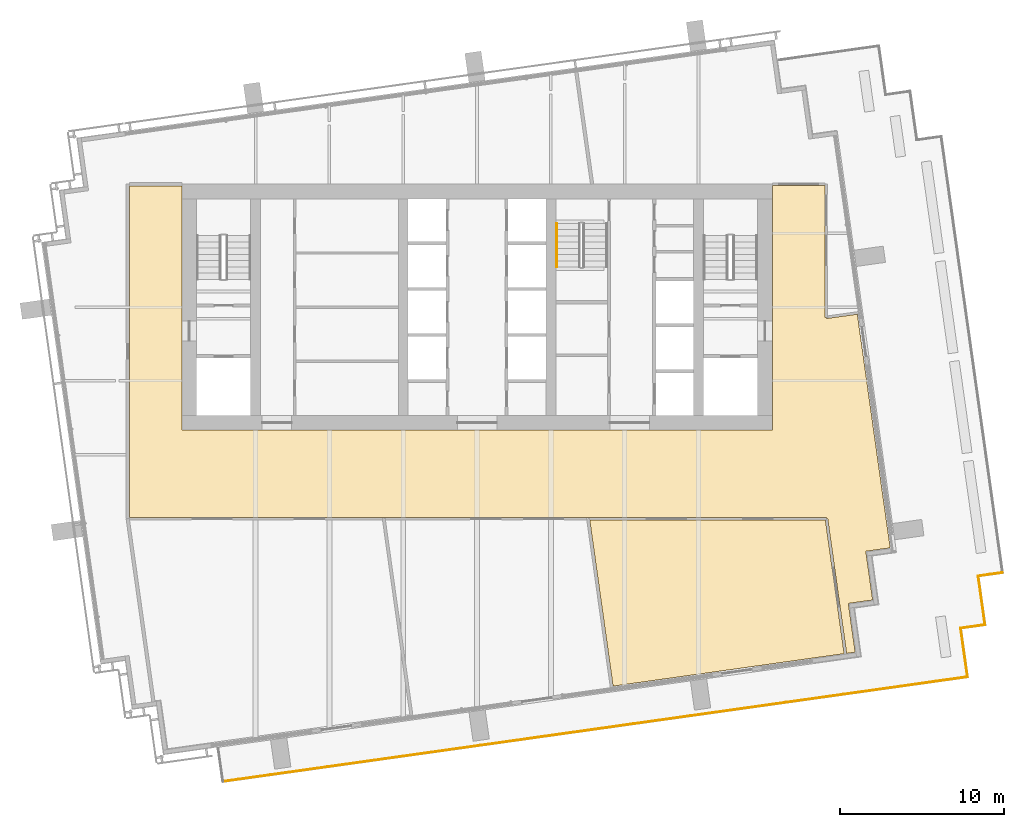
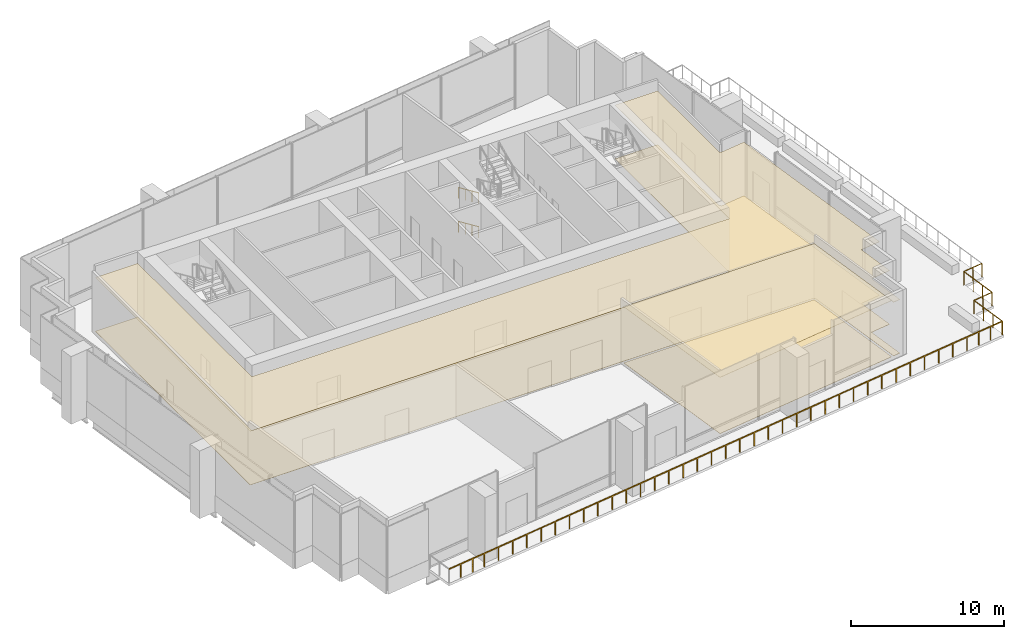
# One storey, part 11 of 14: 7 railings, 4 coverings.
"""IFC4 building model written with IfcOpenShell, lengths in metres."""

from ifc_helpers import new_model, si_unit, direction, frame, origin, origin_2d, place, context, subcontext, project, spatial, polyline, rectangle, outline, extrude, material, layer, layer_set, type_object, element, save


model = new_model("IFC4")

# Units and contexts
model_context = context("Model", 3, precision=1e-05, world=origin(), true_north=direction((0.0, 1.0)))
body_context = subcontext(model_context, "Body", "Model", "MODEL_VIEW")
ifc_project = project(units=[si_unit("LENGTHUNIT", "METRE"), si_unit("AREAUNIT", "SQUARE_METRE"), si_unit("VOLUMEUNIT", "CUBIC_METRE"), si_unit("PLANEANGLEUNIT", "RADIAN"), si_unit("MASSUNIT", "GRAM", prefix="KILO")], contexts=[model_context])

# Site, building, storey
site_placement = place(None, origin())
site = spatial("IfcSite", under=ifc_project, at=site_placement, CompositionType="ELEMENT")
building_placement = place(site_placement, origin())
building = spatial("IfcBuilding", under=site, at=building_placement, Name="Rattan Terrace Tower", CompositionType="ELEMENT")
storey_placement = place(building_placement, frame((0.0, 0.0, 249.699951171875)))
storey = spatial("IfcBuildingStorey", under=building, at=storey_placement, Name="L57", CompositionType="ELEMENT", Elevation=249.699951171875)

# Railings
ifc_material_1 = material(Name="Powder-coated steel handrail", Category="steel")
railing_type_1 = type_object("IfcRailingType", Name="Core stair handrail", PredefinedType="HANDRAIL", material=ifc_material_1)
railing_1_placement = place(storey_placement, frame((4.85009765625, 5.10009765625, 0.168701171875)))
element("IfcRailing", 1, at=railing_1_placement, inside=storey, type_object=railing_type_1, Name="L57 S3 stair handrail 1", PredefinedType="HANDRAIL", context=body_context, shape_type="SweptSolid", body=[
    extrude(rectangle(XDim=0.048095703125, YDim=0.048095703125, at=origin_2d()), frame((0.0, 0.0, 0.8759765625), z_axis=(0.0, -0.913925654661, 0.405881630223), x_axis=(1.0, 0.0, 0.0)), (0.0, 0.0, 1.0), 2.91064453125),
    extrude(rectangle(XDim=0.0419921875, YDim=0.0419921875, at=origin_2d()), origin(), (0.0, 0.0, 1.0), 0.851806640625),
    extrude(rectangle(XDim=0.0419921875, YDim=0.0419921875, at=origin_2d()), frame((0.0, -0.88671875, 0.393798828125)), (0.0, 0.0, 1.0), 0.851806640625),
    extrude(rectangle(XDim=0.0419921875, YDim=0.0419921875, at=origin_2d()), frame((0.0, -1.7734375, 0.78759765625)), (0.0, 0.0, 1.0), 0.851806640625),
    extrude(rectangle(XDim=0.0419921875, YDim=0.0419921875, at=origin_2d()), frame((0.0, -2.66015625, 1.181396484375)), (0.0, 0.0, 1.0), 0.851806640625),
])
railing_2_placement = place(storey_placement, frame((4.85009765625, 5.10009765625, 2.868896484375)))
element("IfcRailing", 2, at=railing_2_placement, inside=storey, type_object=railing_type_1, Name="L57 S3 stair handrail 3", PredefinedType="HANDRAIL", context=body_context, shape_type="SweptSolid", body=[
    extrude(rectangle(XDim=0.048095703125, YDim=0.048095703125, at=origin_2d()), frame((0.0, 0.0, 0.8759765625), z_axis=(0.0, -0.913956766905, 0.405811567391), x_axis=(1.0, 0.0, 0.0)), (0.0, 0.0, 1.0), 2.91064453125),
    extrude(rectangle(XDim=0.0419921875, YDim=0.0419921875, at=origin_2d()), origin(), (0.0, 0.0, 1.0), 0.851806640625),
    extrude(rectangle(XDim=0.0419921875, YDim=0.0419921875, at=origin_2d()), frame((0.0, -0.88671875, 0.393798828125)), (0.0, 0.0, 1.0), 0.851806640625),
    extrude(rectangle(XDim=0.0419921875, YDim=0.0419921875, at=origin_2d()), frame((0.0, -1.7734375, 0.787353515625)), (0.0, 0.0, 1.0), 0.851806640625),
    extrude(rectangle(XDim=0.0419921875, YDim=0.0419921875, at=origin_2d()), frame((0.0, -2.66015625, 1.18115234375)), (0.0, 0.0, 1.0), 0.851806640625),
])
ifc_material_2 = material(Name="Stainless steel 316", Category="steel")
railing_type_2 = type_object("IfcRailingType", Name="Facade Guard 1100", PredefinedType="GUARDRAIL", material=ifc_material_2)
railing_3_placement = place(storey_placement, frame((32.035888671875, -16.181884765625, 0.0)))
element("IfcRailing", 3, at=railing_3_placement, inside=storey, type_object=railing_type_2, Name="Terrace guard L57-1-7", PredefinedType="GUARDRAIL", context=body_context, shape_type="SweptSolid", body=[
    extrude(rectangle(XDim=0.048095703125, YDim=0.048095703125, at=origin_2d()), frame((0.0, 0.0, 1.076171875), z_axis=(-0.990230619015, -0.139439309973, 0.0), x_axis=(0.139439309973, -0.990230619015, 0.0)), (0.0, 0.0, 1.0), 1.50048828125),
    extrude(rectangle(XDim=0.0419921875, YDim=0.0419921875, at=origin_2d()), origin(), (0.0, 0.0, 1.0), 1.052001953125),
    extrude(rectangle(XDim=0.0419921875, YDim=0.0419921875, at=origin_2d()), frame((-0.742919921875, -0.1044921875, 0.0)), (0.0, 0.0, 1.0), 1.052001953125),
])
railing_4_placement = place(storey_placement, frame((30.550048828125, -16.39111328125, 0.0)))
element("IfcRailing", 4, at=railing_4_placement, inside=storey, type_object=railing_type_2, Name="Terrace guard L57-1-8", PredefinedType="GUARDRAIL", context=body_context, shape_type="SweptSolid", body=[
    extrude(rectangle(XDim=0.048095703125, YDim=0.048095703125, at=origin_2d()), frame((0.0, 0.0, 1.076171875), z_axis=(0.139313431826, -0.990248336385, 0.0), x_axis=(0.990248336385, 0.139313431826, 0.0)), (0.0, 0.0, 1.0), 3.000244140625),
    extrude(rectangle(XDim=0.0419921875, YDim=0.0419921875, at=origin_2d()), origin(), (0.0, 0.0, 1.0), 1.052001953125),
    extrude(rectangle(XDim=0.0419921875, YDim=0.0419921875, at=origin_2d()), frame((0.139404296875, -0.990234375, 0.0)), (0.0, 0.0, 1.0), 1.052001953125),
    extrude(rectangle(XDim=0.0419921875, YDim=0.0419921875, at=origin_2d()), frame((0.278564453125, -1.980712890625, 0.0)), (0.0, 0.0, 1.0), 1.052001953125),
])
railing_5_placement = place(storey_placement, frame((30.968017578125, -19.362060546875, 0.0)))
element("IfcRailing", 5, at=railing_5_placement, inside=storey, type_object=railing_type_2, Name="Terrace guard L57-1-9", PredefinedType="GUARDRAIL", context=body_context, shape_type="SweptSolid", body=[
    extrude(rectangle(XDim=0.048095703125, YDim=0.048095703125, at=origin_2d()), frame((0.0, 0.0, 1.076171875), z_axis=(-0.990333250168, -0.138708520326, 0.0), x_axis=(0.138708520326, -0.990333250168, 0.0)), (0.0, 0.0, 1.0), 1.49951171875),
    extrude(rectangle(XDim=0.0419921875, YDim=0.0419921875, at=origin_2d()), origin(), (0.0, 0.0, 1.0), 1.052001953125),
    extrude(rectangle(XDim=0.0419921875, YDim=0.0419921875, at=origin_2d()), frame((-0.74267578125, -0.10400390625, 0.0)), (0.0, 0.0, 1.0), 1.052001953125),
])
railing_6_placement = place(storey_placement, frame((29.48291015625, -19.570068359375, 0.0)))
element("IfcRailing", 6, at=railing_6_placement, inside=storey, type_object=railing_type_2, Name="Terrace guard L57-1-10", PredefinedType="GUARDRAIL", context=body_context, shape_type="SweptSolid", body=[
    extrude(rectangle(XDim=0.048095703125, YDim=0.048095703125, at=origin_2d()), frame((0.0, 0.0, 1.076171875), z_axis=(0.138994228812, -0.990293191109, 0.0), x_axis=(0.990293191109, 0.138994228812, 0.0)), (0.0, 0.0, 1.0), 3.0),
    extrude(rectangle(XDim=0.0419921875, YDim=0.0419921875, at=origin_2d()), origin(), (0.0, 0.0, 1.0), 1.052001953125),
    extrude(rectangle(XDim=0.0419921875, YDim=0.0419921875, at=origin_2d()), frame((0.138916015625, -0.990234375, 0.0)), (0.0, 0.0, 1.0), 1.052001953125),
    extrude(rectangle(XDim=0.0419921875, YDim=0.0419921875, at=origin_2d()), frame((0.278076171875, -1.980712890625, 0.0)), (0.0, 0.0, 1.0), 1.052001953125),
])
railing_7_placement = place(storey_placement, frame((29.89990234375, -22.541015625, 0.0)))
element("IfcRailing", 7, at=railing_7_placement, inside=storey, type_object=railing_type_2, Name="Terrace guard L57-1-11", PredefinedType="GUARDRAIL", context=body_context, shape_type="SweptSolid", body=[
    extrude(rectangle(XDim=0.048095703125, YDim=0.048095703125, at=origin_2d()), frame((0.0, 0.0, 1.076171875), z_axis=(-0.990241622406, -0.13936114686, 0.0), x_axis=(0.13936114686, -0.990241622406, 0.0)), (0.0, 0.0, 1.0), 2.92041015625),
    extrude(rectangle(XDim=0.048095703125, YDim=0.048095703125, at=origin_2d()), frame((-2.891845703125, -0.406982421875, 1.076171875), z_axis=(-0.990267872444, -0.139174497682, 0.0), x_axis=(0.139174497682, -0.990267872444, 0.0)), (0.0, 0.0, 1.0), 39.999267578125),
    extrude(rectangle(XDim=0.048095703125, YDim=0.048095703125, at=origin_2d()), frame((-42.501953125, -5.973876953125, 1.076171875), z_axis=(-0.990287717845, -0.139033218639, 0.0), x_axis=(0.139033218639, -0.990287717845, 0.0)), (0.0, 0.0, 1.0), 2.920166015625),
    extrude(rectangle(XDim=0.0419921875, YDim=0.0419921875, at=origin_2d()), origin(), (0.0, 0.0, 1.0), 1.052001953125),
    extrude(rectangle(XDim=0.0419921875, YDim=0.0419921875, at=origin_2d()), frame((-0.9638671875, -0.1357421875, 0.0)), (0.0, 0.0, 1.0), 1.052001953125),
    extrude(rectangle(XDim=0.0419921875, YDim=0.0419921875, at=origin_2d()), frame((-1.927978515625, -0.271240234375, 0.0)), (0.0, 0.0, 1.0), 1.052001953125),
    extrude(rectangle(XDim=0.0419921875, YDim=0.0419921875, at=origin_2d()), frame((-2.891845703125, -0.406982421875, 0.0)), (0.0, 0.0, 1.0), 1.052001953125),
    extrude(rectangle(XDim=0.0419921875, YDim=0.0419921875, at=origin_2d()), frame((-4.056884765625, -0.57080078125, 0.0)), (0.0, 0.0, 1.0), 1.052001953125),
    extrude(rectangle(XDim=0.0419921875, YDim=0.0419921875, at=origin_2d()), frame((-5.221923828125, -0.734375, 0.0)), (0.0, 0.0, 1.0), 1.052001953125),
    extrude(rectangle(XDim=0.0419921875, YDim=0.0419921875, at=origin_2d()), frame((-6.386962890625, -0.898193359375, 0.0)), (0.0, 0.0, 1.0), 1.052001953125),
    extrude(rectangle(XDim=0.0419921875, YDim=0.0419921875, at=origin_2d()), frame((-7.5517578125, -1.06201171875, 0.0)), (0.0, 0.0, 1.0), 1.052001953125),
    extrude(rectangle(XDim=0.0419921875, YDim=0.0419921875, at=origin_2d()), frame((-8.716796875, -1.2255859375, 0.0)), (0.0, 0.0, 1.0), 1.052001953125),
    extrude(rectangle(XDim=0.0419921875, YDim=0.0419921875, at=origin_2d()), frame((-9.8818359375, -1.389404296875, 0.0)), (0.0, 0.0, 1.0), 1.052001953125),
    extrude(rectangle(XDim=0.0419921875, YDim=0.0419921875, at=origin_2d()), frame((-11.046875, -1.55322265625, 0.0)), (0.0, 0.0, 1.0), 1.052001953125),
    extrude(rectangle(XDim=0.0419921875, YDim=0.0419921875, at=origin_2d()), frame((-12.2119140625, -1.716796875, 0.0)), (0.0, 0.0, 1.0), 1.052001953125),
    extrude(rectangle(XDim=0.0419921875, YDim=0.0419921875, at=origin_2d()), frame((-13.376953125, -1.880615234375, 0.0)), (0.0, 0.0, 1.0), 1.052001953125),
    extrude(rectangle(XDim=0.0419921875, YDim=0.0419921875, at=origin_2d()), frame((-14.5419921875, -2.044189453125, 0.0)), (0.0, 0.0, 1.0), 1.052001953125),
    extrude(rectangle(XDim=0.0419921875, YDim=0.0419921875, at=origin_2d()), frame((-15.706787109375, -2.2080078125, 0.0)), (0.0, 0.0, 1.0), 1.052001953125),
    extrude(rectangle(XDim=0.0419921875, YDim=0.0419921875, at=origin_2d()), frame((-16.871826171875, -2.371826171875, 0.0)), (0.0, 0.0, 1.0), 1.052001953125),
    extrude(rectangle(XDim=0.0419921875, YDim=0.0419921875, at=origin_2d()), frame((-18.036865234375, -2.535400390625, 0.0)), (0.0, 0.0, 1.0), 1.052001953125),
    extrude(rectangle(XDim=0.0419921875, YDim=0.0419921875, at=origin_2d()), frame((-19.201904296875, -2.69921875, 0.0)), (0.0, 0.0, 1.0), 1.052001953125),
    extrude(rectangle(XDim=0.0419921875, YDim=0.0419921875, at=origin_2d()), frame((-20.366943359375, -2.863037109375, 0.0)), (0.0, 0.0, 1.0), 1.052001953125),
    extrude(rectangle(XDim=0.0419921875, YDim=0.0419921875, at=origin_2d()), frame((-21.531982421875, -3.026611328125, 0.0)), (0.0, 0.0, 1.0), 1.052001953125),
    extrude(rectangle(XDim=0.0419921875, YDim=0.0419921875, at=origin_2d()), frame((-22.69677734375, -3.1904296875, 0.0)), (0.0, 0.0, 1.0), 1.052001953125),
    extrude(rectangle(XDim=0.0419921875, YDim=0.0419921875, at=origin_2d()), frame((-23.86181640625, -3.354248046875, 0.0)), (0.0, 0.0, 1.0), 1.052001953125),
    extrude(rectangle(XDim=0.0419921875, YDim=0.0419921875, at=origin_2d()), frame((-25.02685546875, -3.517822265625, 0.0)), (0.0, 0.0, 1.0), 1.052001953125),
    extrude(rectangle(XDim=0.0419921875, YDim=0.0419921875, at=origin_2d()), frame((-26.19189453125, -3.681640625, 0.0)), (0.0, 0.0, 1.0), 1.052001953125),
    extrude(rectangle(XDim=0.0419921875, YDim=0.0419921875, at=origin_2d()), frame((-27.35693359375, -3.845458984375, 0.0)), (0.0, 0.0, 1.0), 1.052001953125),
    extrude(rectangle(XDim=0.0419921875, YDim=0.0419921875, at=origin_2d()), frame((-28.52197265625, -4.009033203125, 0.0)), (0.0, 0.0, 1.0), 1.052001953125),
    extrude(rectangle(XDim=0.0419921875, YDim=0.0419921875, at=origin_2d()), frame((-29.68701171875, -4.1728515625, 0.0)), (0.0, 0.0, 1.0), 1.052001953125),
    extrude(rectangle(XDim=0.0419921875, YDim=0.0419921875, at=origin_2d()), frame((-30.851806640625, -4.336669921875, 0.0)), (0.0, 0.0, 1.0), 1.052001953125),
    extrude(rectangle(XDim=0.0419921875, YDim=0.0419921875, at=origin_2d()), frame((-32.016845703125, -4.500244140625, 0.0)), (0.0, 0.0, 1.0), 1.052001953125),
    extrude(rectangle(XDim=0.0419921875, YDim=0.0419921875, at=origin_2d()), frame((-33.181884765625, -4.6640625, 0.0)), (0.0, 0.0, 1.0), 1.052001953125),
    extrude(rectangle(XDim=0.0419921875, YDim=0.0419921875, at=origin_2d()), frame((-34.346923828125, -4.82763671875, 0.0)), (0.0, 0.0, 1.0), 1.052001953125),
    extrude(rectangle(XDim=0.0419921875, YDim=0.0419921875, at=origin_2d()), frame((-35.511962890625, -4.991455078125, 0.0)), (0.0, 0.0, 1.0), 1.052001953125),
    extrude(rectangle(XDim=0.0419921875, YDim=0.0419921875, at=origin_2d()), frame((-36.677001953125, -5.1552734375, 0.0)), (0.0, 0.0, 1.0), 1.052001953125),
    extrude(rectangle(XDim=0.0419921875, YDim=0.0419921875, at=origin_2d()), frame((-37.842041015625, -5.31884765625, 0.0)), (0.0, 0.0, 1.0), 1.052001953125),
    extrude(rectangle(XDim=0.0419921875, YDim=0.0419921875, at=origin_2d()), frame((-39.0068359375, -5.482666015625, 0.0)), (0.0, 0.0, 1.0), 1.052001953125),
    extrude(rectangle(XDim=0.0419921875, YDim=0.0419921875, at=origin_2d()), frame((-40.171875, -5.646484375, 0.0)), (0.0, 0.0, 1.0), 1.052001953125),
    extrude(rectangle(XDim=0.0419921875, YDim=0.0419921875, at=origin_2d()), frame((-41.3369140625, -5.81005859375, 0.0)), (0.0, 0.0, 1.0), 1.052001953125),
    extrude(rectangle(XDim=0.0419921875, YDim=0.0419921875, at=origin_2d()), frame((-42.501953125, -5.973876953125, 0.0)), (0.0, 0.0, 1.0), 1.052001953125),
    extrude(rectangle(XDim=0.0419921875, YDim=0.0419921875, at=origin_2d()), frame((-43.4658203125, -6.109130859375, 0.0)), (0.0, 0.0, 1.0), 1.052001953125),
    extrude(rectangle(XDim=0.0419921875, YDim=0.0419921875, at=origin_2d()), frame((-44.429931640625, -6.24462890625, 0.0)), (0.0, 0.0, 1.0), 1.052001953125),
])

# Coverings
ifc_material_3 = material(Name="Polished limestone", Category="masonry")
ifc_layer_1 = layer(ifc_material_3, 0.02001953125)
ifc_layer_set_1 = layer_set([ifc_layer_1], Name="Lobby Floor Finish Stone 20")
covering_type_1 = type_object("IfcCoveringType", Name="Lobby Floor Finish Stone 20", PredefinedType="FLOORING", material=ifc_layer_set_1)
covering_1_placement = place(storey_placement, origin())
element("IfcCovering", 8, at=covering_1_placement, inside=storey, type_object=covering_type_1, Name="Floor finish L57-101", PredefinedType="FLOORING", context=body_context, shape_type="SweptSolid", body=[
    extrude(outline(polyline([(21.22509765625, 7.425048828125), (18.0, 7.425048828125), (18.0, -7.5), (-18.0, -7.5), (-18.0, 7.39990234375), (-21.199951171875, 7.39990234375), (-21.199951171875, -12.824951171875), (21.301025390625, -12.824951171875), (21.301025390625, -12.89990234375), (21.375, -12.888916015625), (21.3759765625, -12.888916015625), (21.3759765625, -12.889892578125), (22.530029296875, -21.10693359375), (23.051025390625, -21.033935546875), (22.634033203125, -18.06298828125), (24.118896484375, -17.85400390625), (23.700927734375, -14.884033203125), (25.18701171875, -14.675048828125), (23.675048828125, -3.919921875), (23.18408203125, -0.429931640625), (21.31005859375, -0.693115234375), (21.31005859375, -0.69189453125), (21.300048828125, -0.617919921875), (21.22509765625, -0.617919921875), (21.22509765625, 7.425048828125)])), origin(), (0.0, 0.0, 1.0), 0.02001953125),
])
covering_2_placement = place(storey_placement, origin())
element("IfcCovering", 9, at=covering_2_placement, inside=storey, type_object=covering_type_1, Name="Floor finish L57-102", PredefinedType="FLOORING", context=body_context, shape_type="SweptSolid", body=[
    extrude(outline(polyline([(20.4169921875, -21.403076171875), (22.3798828125, -21.1279296875), (22.3798828125, -21.126953125), (21.236083984375, -12.97509765625), (6.868896484375, -12.97509765625), (8.2919921875, -23.10693359375), (14.051025390625, -22.298095703125), (17.615966796875, -21.797119140625), (20.4169921875, -21.403076171875)])), origin(), (0.0, 0.0, 1.0), 0.02001953125),
])
ifc_material_4 = material(Name="Gypsum board, painted")
ifc_layer_2 = layer(ifc_material_4, 0.02490234375)
ifc_layer_set_2 = layer_set([ifc_layer_2], Name="Suspended Ceiling Gypsum 25")
covering_type_2 = type_object("IfcCoveringType", Name="Suspended Ceiling Gypsum 25", PredefinedType="CEILING", material=ifc_layer_set_2)
covering_3_placement = place(storey_placement, frame((0.0, 0.0, 4.275146484375)))
element("IfcCovering", 10, at=covering_3_placement, inside=storey, type_object=covering_type_2, Name="Ceiling L57-101", PredefinedType="CEILING", context=body_context, shape_type="SweptSolid", body=[
    extrude(outline(polyline([(21.22509765625, 7.425048828125), (18.0, 7.425048828125), (18.0, -7.5), (-18.0, -7.5), (-18.0, 7.39990234375), (-21.199951171875, 7.39990234375), (-21.199951171875, -12.824951171875), (21.301025390625, -12.824951171875), (21.301025390625, -12.89990234375), (21.375, -12.888916015625), (21.3759765625, -12.888916015625), (21.3759765625, -12.889892578125), (22.530029296875, -21.10693359375), (23.051025390625, -21.033935546875), (22.634033203125, -18.06298828125), (24.118896484375, -17.85400390625), (23.700927734375, -14.884033203125), (25.18701171875, -14.675048828125), (23.675048828125, -3.919921875), (23.18408203125, -0.429931640625), (21.31005859375, -0.693115234375), (21.31005859375, -0.69189453125), (21.300048828125, -0.617919921875), (21.22509765625, -0.617919921875), (21.22509765625, 7.425048828125)])), origin(), (0.0, 0.0, 1.0), 0.02490234375),
])
covering_4_placement = place(storey_placement, frame((0.0, 0.0, 4.47509765625)))
element("IfcCovering", 11, at=covering_4_placement, inside=storey, type_object=covering_type_2, Name="Ceiling L57-102", PredefinedType="CEILING", context=body_context, shape_type="SweptSolid", body=[
    extrude(outline(polyline([(20.4169921875, -21.403076171875), (22.3798828125, -21.1279296875), (22.3798828125, -21.126953125), (21.236083984375, -12.97509765625), (6.868896484375, -12.97509765625), (8.2919921875, -23.10693359375), (14.051025390625, -22.298095703125), (17.615966796875, -21.797119140625), (20.4169921875, -21.403076171875)])), origin(), (0.0, 0.0, 1.0), 0.02490234375),
])

save(model, "model.ifc")
